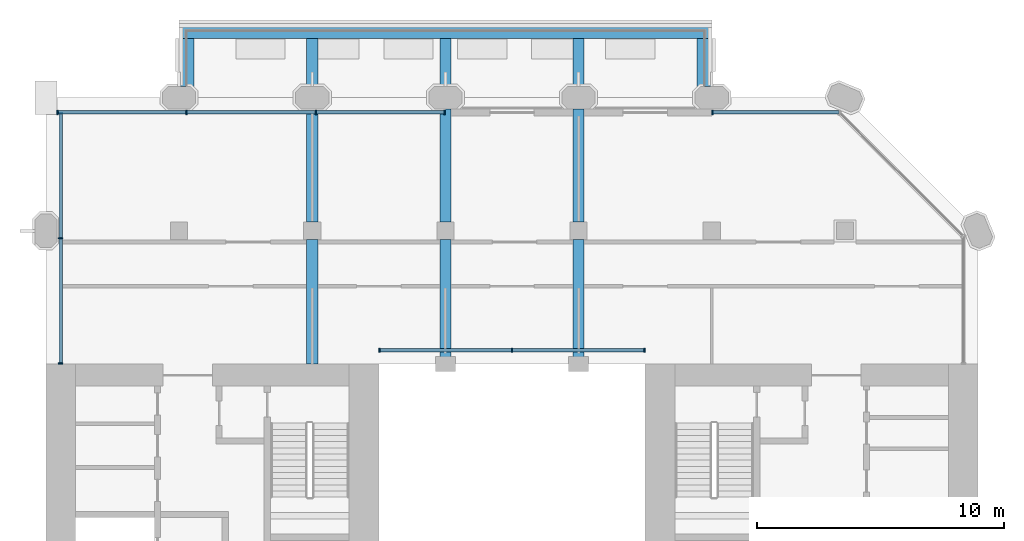
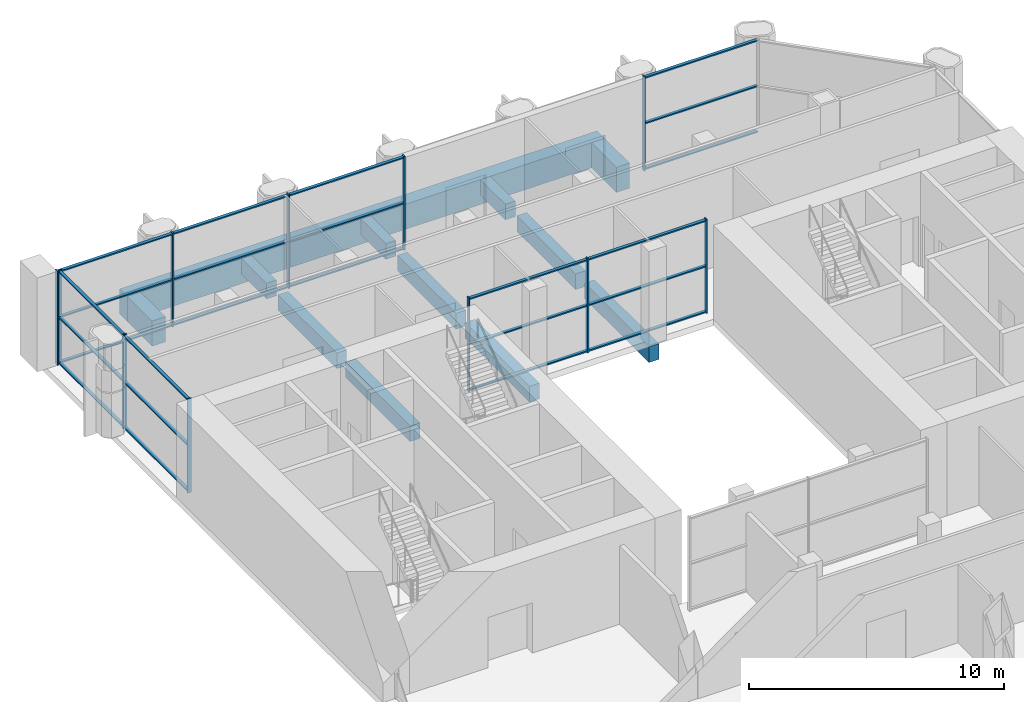
# One storey, part 5 of 13: 35 members, 12 beams, 4 elements without a shape of their own.
"""IFC4 building model written with IfcOpenShell, lengths in metres."""

from ifc_helpers import new_model, si_unit, direction, frame, origin, origin_2d, place, context, subcontext, project, spatial, rectangle, extrude, material, material_profile, profile_set, type_object, element, aggregate, save


model = new_model("IFC4")

# Units and contexts
model_context = context("Model", 3, precision=1e-05, world=origin(), true_north=direction((0.0, 1.0)))
body_context = subcontext(model_context, "Body", "Model", "MODEL_VIEW")
ifc_project = project(units=[si_unit("LENGTHUNIT", "METRE"), si_unit("AREAUNIT", "SQUARE_METRE"), si_unit("VOLUMEUNIT", "CUBIC_METRE"), si_unit("PLANEANGLEUNIT", "RADIAN"), si_unit("MASSUNIT", "GRAM", prefix="KILO")], contexts=[model_context])

# Site, building, storey
site_placement = place(None, origin())
site = spatial("IfcSite", under=ifc_project, at=site_placement, CompositionType="ELEMENT")
building_placement = place(site_placement, origin())
building = spatial("IfcBuilding", under=site, at=building_placement, Name="Tabaq Tower and Sports Hall", CompositionType="ELEMENT")
storey_placement = place(building_placement, frame((0.0, 0.0, 255.699951171875)))
storey = spatial("IfcBuildingStorey", under=building, at=storey_placement, Name="L62", CompositionType="ELEMENT", Elevation=255.699951171875)

# Curtain wall, members
ifc_material_1 = material(Name="Aluminium alloy 6063-T6 framed glazing", Category="aluminium")
curtain_wall_type_1 = type_object("IfcCurtainWallType", Name="CW1 curtain wall", PredefinedType="USERDEFINED", material=ifc_material_1)
curtain_wall_1_placement = place(storey_placement, origin())
curtain_wall_1 = element("IfcCurtainWall", 1, at=curtain_wall_1_placement, inside=storey, type_object=curtain_wall_type_1, Name="Atrium glazing L62 N", ObjectType="ATRIUM ENCLOSURE", PredefinedType="USERDEFINED")
ifc_material_2 = material(Name="Aluminium alloy 6063-T6", Category="aluminium")
ifc_material_profile_1 = material_profile(ifc_material_2, rectangle(XDim=0.159912109375, YDim=0.06005859375, at=origin_2d()), Name="MULLION 160x60")
ifc_profile_set_1 = profile_set([ifc_material_profile_1], Name="Aluminium alloy 6063-T6")
member_type_1 = type_object("IfcMemberType", Name="CW1 mullion 160x60", PredefinedType="MULLION", material=ifc_profile_set_1)
member_1_placement = place(storey_placement, frame((18.929931640625, 32.949951171875, 0.0), z_axis=(0.0, 0.0, 1.0), x_axis=(0.0, 1.0, 0.0)))
member_1 = element("IfcMember", 2, at=member_1_placement, type_object=member_type_1, Name="CW1 mullion 1", PredefinedType="MULLION", context=body_context, shape_type="SweptSolid", body=[
    extrude(rectangle(XDim=0.159912109375, YDim=0.06005859375, at=origin_2d()), origin(), (0.0, 0.0, 1.0), 4.5),
])
member_2_placement = place(storey_placement, frame((24.300048828125, 32.949951171875, 0.0), z_axis=(0.0, 0.0, 1.0), x_axis=(0.0, 1.0, 0.0)))
member_2 = element("IfcMember", 3, at=member_2_placement, type_object=member_type_1, Name="CW1 mullion 2", PredefinedType="MULLION", context=body_context, shape_type="SweptSolid", body=[
    extrude(rectangle(XDim=0.159912109375, YDim=0.06005859375, at=origin_2d()), origin(), (0.0, 0.0, 1.0), 4.5),
])
member_3_placement = place(storey_placement, frame((29.669921875, 32.949951171875, 0.0), z_axis=(0.0, 0.0, 1.0), x_axis=(0.0, 1.0, 0.0)))
member_3 = element("IfcMember", 4, at=member_3_placement, type_object=member_type_1, Name="CW1 mullion 3", PredefinedType="MULLION", context=body_context, shape_type="SweptSolid", body=[
    extrude(rectangle(XDim=0.159912109375, YDim=0.06005859375, at=origin_2d()), origin(), (0.0, 0.0, 1.0), 4.5),
])
ifc_material_3 = material(Name="Aluminium alloy 6063-T6", Category="aluminium")
ifc_material_profile_2 = material_profile(ifc_material_3, rectangle(XDim=0.139892578125, YDim=0.06005859375, at=origin_2d()), Name="TRANSOM 140x60")
ifc_profile_set_2 = profile_set([ifc_material_profile_2], Name="Aluminium alloy 6063-T6")
member_type_2 = type_object("IfcMemberType", Name="CW1 transom 140x60", PredefinedType="USERDEFINED", material=ifc_profile_set_2)
member_4_placement = place(storey_placement, frame((18.9599609375, 32.949951171875, 0.070068359375), z_axis=(1.0, 0.0, 0.0), x_axis=(0.0, 1.0, 0.0)))
member_4 = element("IfcMember", 5, at=member_4_placement, type_object=member_type_2, Name="CW1 transom 1.1", ObjectType="TRANSOM", PredefinedType="USERDEFINED", context=body_context, shape_type="SweptSolid", body=[
    extrude(rectangle(XDim=0.139892578125, YDim=0.06005859375, at=origin_2d()), origin(), (0.0, 0.0, 1.0), 5.31005859375),
])
member_5_placement = place(storey_placement, frame((18.9599609375, 32.949951171875, 2.25), z_axis=(1.0, 0.0, 0.0), x_axis=(0.0, 1.0, 0.0)))
member_5 = element("IfcMember", 6, at=member_5_placement, type_object=member_type_2, Name="CW1 transom 1.2", ObjectType="TRANSOM", PredefinedType="USERDEFINED", context=body_context, shape_type="SweptSolid", body=[
    extrude(rectangle(XDim=0.139892578125, YDim=0.06005859375, at=origin_2d()), origin(), (0.0, 0.0, 1.0), 5.31005859375),
])
member_6_placement = place(storey_placement, frame((18.9599609375, 32.949951171875, 4.429931640625), z_axis=(1.0, 0.0, 0.0), x_axis=(0.0, 1.0, 0.0)))
member_6 = element("IfcMember", 7, at=member_6_placement, type_object=member_type_2, Name="CW1 transom 1.3", ObjectType="TRANSOM", PredefinedType="USERDEFINED", context=body_context, shape_type="SweptSolid", body=[
    extrude(rectangle(XDim=0.139892578125, YDim=0.06005859375, at=origin_2d()), origin(), (0.0, 0.0, 1.0), 5.31005859375),
])
member_7_placement = place(storey_placement, frame((24.330078125, 32.949951171875, 0.070068359375), z_axis=(1.0, 0.0, 0.0), x_axis=(0.0, 1.0, 0.0)))
member_7 = element("IfcMember", 8, at=member_7_placement, type_object=member_type_2, Name="CW1 transom 2.1", ObjectType="TRANSOM", PredefinedType="USERDEFINED", context=body_context, shape_type="SweptSolid", body=[
    extrude(rectangle(XDim=0.139892578125, YDim=0.06005859375, at=origin_2d()), origin(), (0.0, 0.0, 1.0), 5.309814453125),
])
member_8_placement = place(storey_placement, frame((24.330078125, 32.949951171875, 2.25), z_axis=(1.0, 0.0, 0.0), x_axis=(0.0, 1.0, 0.0)))
member_8 = element("IfcMember", 9, at=member_8_placement, type_object=member_type_2, Name="CW1 transom 2.2", ObjectType="TRANSOM", PredefinedType="USERDEFINED", context=body_context, shape_type="SweptSolid", body=[
    extrude(rectangle(XDim=0.139892578125, YDim=0.06005859375, at=origin_2d()), origin(), (0.0, 0.0, 1.0), 5.309814453125),
])
member_9_placement = place(storey_placement, frame((24.330078125, 32.949951171875, 4.429931640625), z_axis=(1.0, 0.0, 0.0), x_axis=(0.0, 1.0, 0.0)))
member_9 = element("IfcMember", 10, at=member_9_placement, type_object=member_type_2, Name="CW1 transom 2.3", ObjectType="TRANSOM", PredefinedType="USERDEFINED", context=body_context, shape_type="SweptSolid", body=[
    extrude(rectangle(XDim=0.139892578125, YDim=0.06005859375, at=origin_2d()), origin(), (0.0, 0.0, 1.0), 5.309814453125),
])
aggregate(curtain_wall_1, [member_1, member_2, member_3, member_4, member_5, member_6, member_7, member_8, member_9])

# Curtain wall, member
ifc_material_4 = material(Name="Aluminium alloy 6063-T6 framed glazing", Category="aluminium")
curtain_wall_type_2 = type_object("IfcCurtainWallType", Name="CW3 curtain wall", PredefinedType="USERDEFINED", material=ifc_material_4)
curtain_wall_2_placement = place(storey_placement, origin())
curtain_wall_2 = element("IfcCurtainWall", 11, at=curtain_wall_2_placement, inside=storey, type_object=curtain_wall_type_2, Name="Garden Floor Wall L62 N", ObjectType="GARDEN FLOOR WALL", PredefinedType="USERDEFINED")
ifc_material_5 = material(Name="Aluminium alloy 6063-T6", Category="aluminium")
ifc_material_profile_3 = material_profile(ifc_material_5, rectangle(XDim=0.179931640625, YDim=0.06005859375, at=origin_2d()), Name="MULLION 180x60")
ifc_profile_set_3 = profile_set([ifc_material_profile_3], Name="Aluminium alloy 6063-T6")
member_type_3 = type_object("IfcMemberType", Name="CW3 mullion 180x60", PredefinedType="MULLION", material=ifc_profile_set_3)
member_10_placement = place(storey_placement, frame((32.429931640625, 42.60009765625, 0.0), z_axis=(0.0, 0.0, 1.0), x_axis=(0.0, -1.0, 0.0)))
member_10 = element("IfcMember", 12, at=member_10_placement, type_object=member_type_3, Name="CW3 mullion 2", PredefinedType="MULLION", context=body_context, shape_type="SweptSolid", body=[
    extrude(rectangle(XDim=0.179931640625, YDim=0.06005859375, at=origin_2d()), origin(), (0.0, 0.0, 1.0), 4.5),
])

# Curtain wall, members
curtain_wall_3_placement = place(storey_placement, origin())
curtain_wall_3 = element("IfcCurtainWall", 13, at=curtain_wall_3_placement, inside=storey, type_object=curtain_wall_type_2, Name="Garden Floor Wall L62 N", ObjectType="GARDEN FLOOR WALL", PredefinedType="USERDEFINED")
member_11_placement = place(storey_placement, frame((21.570068359375, 42.60009765625, 0.0), z_axis=(0.0, 0.0, 1.0), x_axis=(0.0, -1.0, 0.0)))
member_11 = element("IfcMember", 14, at=member_11_placement, type_object=member_type_3, Name="CW3 mullion 1", PredefinedType="MULLION", context=body_context, shape_type="SweptSolid", body=[
    extrude(rectangle(XDim=0.179931640625, YDim=0.06005859375, at=origin_2d()), origin(), (0.0, 0.0, 1.0), 4.5),
])
member_12_placement = place(storey_placement, frame((16.35009765625, 42.60009765625, 0.0), z_axis=(0.0, 0.0, 1.0), x_axis=(0.0, -1.0, 0.0)))
member_12 = element("IfcMember", 15, at=member_12_placement, type_object=member_type_3, Name="CW3 mullion 2", PredefinedType="MULLION", context=body_context, shape_type="SweptSolid", body=[
    extrude(rectangle(XDim=0.179931640625, YDim=0.06005859375, at=origin_2d()), origin(), (0.0, 0.0, 1.0), 4.5),
])
member_13_placement = place(storey_placement, frame((11.10009765625, 42.60009765625, 0.0), z_axis=(0.0, 0.0, 1.0), x_axis=(0.0, -1.0, 0.0)))
member_13 = element("IfcMember", 16, at=member_13_placement, type_object=member_type_3, Name="CW3 mullion 3", PredefinedType="MULLION", context=body_context, shape_type="SweptSolid", body=[
    extrude(rectangle(XDim=0.179931640625, YDim=0.06005859375, at=origin_2d()), origin(), (0.0, 0.0, 1.0), 4.5),
])
member_14_placement = place(storey_placement, frame((5.8798828125, 42.60009765625, 0.0), z_axis=(0.0, 0.0, 1.0), x_axis=(0.0, -1.0, 0.0)))
member_14 = element("IfcMember", 17, at=member_14_placement, type_object=member_type_3, Name="CW3 mullion 4", PredefinedType="MULLION", context=body_context, shape_type="SweptSolid", body=[
    extrude(rectangle(XDim=0.179931640625, YDim=0.06005859375, at=origin_2d()), origin(), (0.0, 0.0, 1.0), 4.5),
])

curtain_wall_4_placement = place(storey_placement, origin())
curtain_wall_4 = element("IfcCurtainWall", 18, at=curtain_wall_4_placement, inside=storey, type_object=curtain_wall_type_2, Name="Garden Floor Wall L62 W", ObjectType="GARDEN FLOOR WALL", PredefinedType="USERDEFINED")
member_15_placement = place(storey_placement, frame((6.0, 42.570068359375, 0.0), z_axis=(0.0, 0.0, 1.0), x_axis=(1.0, 0.0, 0.0)))
member_15 = element("IfcMember", 19, at=member_15_placement, type_object=member_type_3, Name="CW3 mullion 1", PredefinedType="MULLION", context=body_context, shape_type="SweptSolid", body=[
    extrude(rectangle(XDim=0.179931640625, YDim=0.06005859375, at=origin_2d()), origin(), (0.0, 0.0, 1.0), 4.5),
])
member_16_placement = place(storey_placement, frame((6.0, 37.5, 0.0), z_axis=(0.0, 0.0, 1.0), x_axis=(1.0, 0.0, 0.0)))
member_16 = element("IfcMember", 20, at=member_16_placement, type_object=member_type_3, Name="CW3 mullion 2", PredefinedType="MULLION", context=body_context, shape_type="SweptSolid", body=[
    extrude(rectangle(XDim=0.179931640625, YDim=0.06005859375, at=origin_2d()), origin(), (0.0, 0.0, 1.0), 4.5),
])
member_17_placement = place(storey_placement, frame((6.0, 32.429931640625, 0.0), z_axis=(0.0, 0.0, 1.0), x_axis=(1.0, 0.0, 0.0)))
member_17 = element("IfcMember", 21, at=member_17_placement, type_object=member_type_3, Name="CW3 mullion 3", PredefinedType="MULLION", context=body_context, shape_type="SweptSolid", body=[
    extrude(rectangle(XDim=0.179931640625, YDim=0.06005859375, at=origin_2d()), origin(), (0.0, 0.0, 1.0), 4.5),
])

# Member
ifc_material_6 = material(Name="Aluminium alloy 6063-T6", Category="aluminium")
ifc_material_profile_4 = material_profile(ifc_material_6, rectangle(XDim=0.139892578125, YDim=0.06005859375, at=origin_2d()), Name="TRANSOM 140x60")
ifc_profile_set_4 = profile_set([ifc_material_profile_4], Name="Aluminium alloy 6063-T6")
member_type_4 = type_object("IfcMemberType", Name="CW3 transom 140x60", PredefinedType="USERDEFINED", material=ifc_profile_set_4)
member_18_placement = place(storey_placement, frame((37.5537109375, 42.60009765625, 0.070068359375), z_axis=(-1.0, 0.0, 0.0), x_axis=(0.0, -1.0, 0.0)))
member_18 = element("IfcMember", 22, at=member_18_placement, type_object=member_type_4, Name="CW3 transom 1.1", ObjectType="TRANSOM", PredefinedType="USERDEFINED", context=body_context, shape_type="SweptSolid", body=[
    extrude(rectangle(XDim=0.139892578125, YDim=0.06005859375, at=origin_2d()), origin(), (0.0, 0.0, 1.0), 5.09375),
])

member_19_placement = place(storey_placement, frame((37.5537109375, 42.60009765625, 2.25), z_axis=(-1.0, 0.0, 0.0), x_axis=(0.0, -1.0, 0.0)))
member_19 = element("IfcMember", 23, at=member_19_placement, type_object=member_type_4, Name="CW3 transom 1.2", ObjectType="TRANSOM", PredefinedType="USERDEFINED", context=body_context, shape_type="SweptSolid", body=[
    extrude(rectangle(XDim=0.139892578125, YDim=0.06005859375, at=origin_2d()), origin(), (0.0, 0.0, 1.0), 5.09375),
])

member_20_placement = place(storey_placement, frame((37.5537109375, 42.60009765625, 4.429931640625), z_axis=(-1.0, 0.0, 0.0), x_axis=(0.0, -1.0, 0.0)))
member_20 = element("IfcMember", 24, at=member_20_placement, type_object=member_type_4, Name="CW3 transom 1.3", ObjectType="TRANSOM", PredefinedType="USERDEFINED", context=body_context, shape_type="SweptSolid", body=[
    extrude(rectangle(XDim=0.139892578125, YDim=0.06005859375, at=origin_2d()), origin(), (0.0, 0.0, 1.0), 5.09375),
])

aggregate(curtain_wall_2, [member_10, member_18, member_19, member_20])

member_21_placement = place(storey_placement, frame((21.5400390625, 42.60009765625, 0.070068359375), z_axis=(-1.0, 0.0, 0.0), x_axis=(0.0, -1.0, 0.0)))
member_21 = element("IfcMember", 25, at=member_21_placement, type_object=member_type_4, Name="CW3 transom 1.1", ObjectType="TRANSOM", PredefinedType="USERDEFINED", context=body_context, shape_type="SweptSolid", body=[
    extrude(rectangle(XDim=0.139892578125, YDim=0.06005859375, at=origin_2d()), origin(), (0.0, 0.0, 1.0), 5.16015625),
])

member_22_placement = place(storey_placement, frame((21.5400390625, 42.60009765625, 2.25), z_axis=(-1.0, 0.0, 0.0), x_axis=(0.0, -1.0, 0.0)))
member_22 = element("IfcMember", 26, at=member_22_placement, type_object=member_type_4, Name="CW3 transom 1.2", ObjectType="TRANSOM", PredefinedType="USERDEFINED", context=body_context, shape_type="SweptSolid", body=[
    extrude(rectangle(XDim=0.139892578125, YDim=0.06005859375, at=origin_2d()), origin(), (0.0, 0.0, 1.0), 5.16015625),
])

member_23_placement = place(storey_placement, frame((21.5400390625, 42.60009765625, 4.429931640625), z_axis=(-1.0, 0.0, 0.0), x_axis=(0.0, -1.0, 0.0)))
member_23 = element("IfcMember", 27, at=member_23_placement, type_object=member_type_4, Name="CW3 transom 1.3", ObjectType="TRANSOM", PredefinedType="USERDEFINED", context=body_context, shape_type="SweptSolid", body=[
    extrude(rectangle(XDim=0.139892578125, YDim=0.06005859375, at=origin_2d()), origin(), (0.0, 0.0, 1.0), 5.16015625),
])

member_24_placement = place(storey_placement, frame((16.320068359375, 42.60009765625, 0.070068359375), z_axis=(-1.0, 0.0, 0.0), x_axis=(0.0, -1.0, 0.0)))
member_24 = element("IfcMember", 28, at=member_24_placement, type_object=member_type_4, Name="CW3 transom 2.1", ObjectType="TRANSOM", PredefinedType="USERDEFINED", context=body_context, shape_type="SweptSolid", body=[
    extrude(rectangle(XDim=0.139892578125, YDim=0.06005859375, at=origin_2d()), origin(), (0.0, 0.0, 1.0), 5.190185546875),
])

member_25_placement = place(storey_placement, frame((16.320068359375, 42.60009765625, 2.25), z_axis=(-1.0, 0.0, 0.0), x_axis=(0.0, -1.0, 0.0)))
member_25 = element("IfcMember", 29, at=member_25_placement, type_object=member_type_4, Name="CW3 transom 2.2", ObjectType="TRANSOM", PredefinedType="USERDEFINED", context=body_context, shape_type="SweptSolid", body=[
    extrude(rectangle(XDim=0.139892578125, YDim=0.06005859375, at=origin_2d()), origin(), (0.0, 0.0, 1.0), 5.190185546875),
])

member_26_placement = place(storey_placement, frame((16.320068359375, 42.60009765625, 4.429931640625), z_axis=(-1.0, 0.0, 0.0), x_axis=(0.0, -1.0, 0.0)))
member_26 = element("IfcMember", 30, at=member_26_placement, type_object=member_type_4, Name="CW3 transom 2.3", ObjectType="TRANSOM", PredefinedType="USERDEFINED", context=body_context, shape_type="SweptSolid", body=[
    extrude(rectangle(XDim=0.139892578125, YDim=0.06005859375, at=origin_2d()), origin(), (0.0, 0.0, 1.0), 5.190185546875),
])

member_27_placement = place(storey_placement, frame((11.070068359375, 42.60009765625, 0.070068359375), z_axis=(-1.0, 0.0, 0.0), x_axis=(0.0, -1.0, 0.0)))
member_27 = element("IfcMember", 31, at=member_27_placement, type_object=member_type_4, Name="CW3 transom 3.1", ObjectType="TRANSOM", PredefinedType="USERDEFINED", context=body_context, shape_type="SweptSolid", body=[
    extrude(rectangle(XDim=0.139892578125, YDim=0.06005859375, at=origin_2d()), origin(), (0.0, 0.0, 1.0), 5.16015625),
])

member_28_placement = place(storey_placement, frame((11.070068359375, 42.60009765625, 2.25), z_axis=(-1.0, 0.0, 0.0), x_axis=(0.0, -1.0, 0.0)))
member_28 = element("IfcMember", 32, at=member_28_placement, type_object=member_type_4, Name="CW3 transom 3.2", ObjectType="TRANSOM", PredefinedType="USERDEFINED", context=body_context, shape_type="SweptSolid", body=[
    extrude(rectangle(XDim=0.139892578125, YDim=0.06005859375, at=origin_2d()), origin(), (0.0, 0.0, 1.0), 5.16015625),
])

member_29_placement = place(storey_placement, frame((11.070068359375, 42.60009765625, 4.429931640625), z_axis=(-1.0, 0.0, 0.0), x_axis=(0.0, -1.0, 0.0)))
member_29 = element("IfcMember", 33, at=member_29_placement, type_object=member_type_4, Name="CW3 transom 3.3", ObjectType="TRANSOM", PredefinedType="USERDEFINED", context=body_context, shape_type="SweptSolid", body=[
    extrude(rectangle(XDim=0.139892578125, YDim=0.06005859375, at=origin_2d()), origin(), (0.0, 0.0, 1.0), 5.16015625),
])

aggregate(curtain_wall_3, [member_11, member_12, member_13, member_14, member_21, member_22, member_23, member_24, member_25, member_26, member_27, member_28, member_29])

member_30_placement = place(storey_placement, frame((6.0, 42.5400390625, 0.070068359375), z_axis=(0.0, -1.0, 0.0), x_axis=(1.0, 0.0, 0.0)))
member_30 = element("IfcMember", 34, at=member_30_placement, type_object=member_type_4, Name="CW3 transom 1.1", ObjectType="TRANSOM", PredefinedType="USERDEFINED", context=body_context, shape_type="SweptSolid", body=[
    extrude(rectangle(XDim=0.139892578125, YDim=0.06005859375, at=origin_2d()), origin(), (0.0, 0.0, 1.0), 5.010009765625),
])

member_31_placement = place(storey_placement, frame((6.0, 42.5400390625, 2.25), z_axis=(0.0, -1.0, 0.0), x_axis=(1.0, 0.0, 0.0)))
member_31 = element("IfcMember", 35, at=member_31_placement, type_object=member_type_4, Name="CW3 transom 1.2", ObjectType="TRANSOM", PredefinedType="USERDEFINED", context=body_context, shape_type="SweptSolid", body=[
    extrude(rectangle(XDim=0.139892578125, YDim=0.06005859375, at=origin_2d()), origin(), (0.0, 0.0, 1.0), 5.010009765625),
])

member_32_placement = place(storey_placement, frame((6.0, 42.5400390625, 4.429931640625), z_axis=(0.0, -1.0, 0.0), x_axis=(1.0, 0.0, 0.0)))
member_32 = element("IfcMember", 36, at=member_32_placement, type_object=member_type_4, Name="CW3 transom 1.3", ObjectType="TRANSOM", PredefinedType="USERDEFINED", context=body_context, shape_type="SweptSolid", body=[
    extrude(rectangle(XDim=0.139892578125, YDim=0.06005859375, at=origin_2d()), origin(), (0.0, 0.0, 1.0), 5.010009765625),
])

member_33_placement = place(storey_placement, frame((6.0, 37.469970703125, 0.070068359375), z_axis=(0.0, -1.0, 0.0), x_axis=(1.0, 0.0, 0.0)))
member_33 = element("IfcMember", 37, at=member_33_placement, type_object=member_type_4, Name="CW3 transom 2.1", ObjectType="TRANSOM", PredefinedType="USERDEFINED", context=body_context, shape_type="SweptSolid", body=[
    extrude(rectangle(XDim=0.139892578125, YDim=0.06005859375, at=origin_2d()), origin(), (0.0, 0.0, 1.0), 5.010009765625),
])

member_34_placement = place(storey_placement, frame((6.0, 37.469970703125, 2.25), z_axis=(0.0, -1.0, 0.0), x_axis=(1.0, 0.0, 0.0)))
member_34 = element("IfcMember", 38, at=member_34_placement, type_object=member_type_4, Name="CW3 transom 2.2", ObjectType="TRANSOM", PredefinedType="USERDEFINED", context=body_context, shape_type="SweptSolid", body=[
    extrude(rectangle(XDim=0.139892578125, YDim=0.06005859375, at=origin_2d()), origin(), (0.0, 0.0, 1.0), 5.010009765625),
])

member_35_placement = place(storey_placement, frame((6.0, 37.469970703125, 4.429931640625), z_axis=(0.0, -1.0, 0.0), x_axis=(1.0, 0.0, 0.0)))
member_35 = element("IfcMember", 39, at=member_35_placement, type_object=member_type_4, Name="CW3 transom 2.3", ObjectType="TRANSOM", PredefinedType="USERDEFINED", context=body_context, shape_type="SweptSolid", body=[
    extrude(rectangle(XDim=0.139892578125, YDim=0.06005859375, at=origin_2d()), origin(), (0.0, 0.0, 1.0), 5.010009765625),
])

aggregate(curtain_wall_4, [member_15, member_16, member_17, member_30, member_31, member_32, member_33, member_34, member_35])

# Beams
ifc_material_7 = material(Name="Concrete C40/50", Category="concrete")
ifc_material_profile_5 = material_profile(ifc_material_7, rectangle(XDim=0.60009765625, YDim=1.199951171875, at=origin_2d()), Name="EBT 600x1200")
ifc_profile_set_5 = profile_set([ifc_material_profile_5], Name="Concrete C40/50")
beam_type_1 = type_object("IfcBeamType", Name="Concrete C40/50 PT edge band EBT 600x1200", PredefinedType="BEAM", material=ifc_profile_set_5)
beam_1_placement = place(storey_placement, frame((32.39990234375, 45.89990234375, -0.89990234375), z_axis=(-1.0, 0.0, 0.0), x_axis=(0.0, -1.0, 0.0)))
element("IfcBeam", 40, at=beam_1_placement, inside=storey, type_object=beam_type_1, Name="Tray edge band L62", PredefinedType="BEAM", context=body_context, shape_type="SweptSolid", body=[
    extrude(rectangle(XDim=0.60009765625, YDim=1.199951171875, at=origin_2d()), origin(), (0.0, 0.0, 1.0), 21.599853515625),
])
for number, where, z_axis, x_axis, name in (
    (41, (32.10009765625, 43.64990234375, -0.89990234375), (0.0, 1.0, 0.0), (-1.0, 0.0, 0.0), "Tray edge band L62"),
    (42, (11.10009765625, 43.64990234375, -0.89990234375), (0.0, 1.0, 0.0), (-1.0, 0.0, 0.0), "Tray edge band L62"),
):
    element("IfcBeam", number, at=place(storey_placement, frame(where, z_axis=z_axis, x_axis=x_axis)), inside=storey, type_object=beam_type_1, Name=name, PredefinedType="BEAM", context=body_context, shape_type="SweptSolid", body=[
        extrude(rectangle(XDim=0.60009765625, YDim=1.199951171875, at=origin_2d()), origin(), (0.0, 0.0, 1.0), 1.9501953125),
    ])
ifc_material_8 = material(Name="Concrete C40/50", Category="concrete")
ifc_material_profile_6 = material_profile(ifc_material_8, rectangle(XDim=0.449951171875, YDim=0.75, at=origin_2d()), Name="CB 450x750")
ifc_profile_set_6 = profile_set([ifc_material_profile_6], Name="Concrete C40/50")
beam_type_2 = type_object("IfcBeamType", Name="PT CANTILEVER BEAM CB 450x750 C40/50", PredefinedType="BEAM", material=ifc_profile_set_6)
beam_2_placement = place(storey_placement, frame((27.0, 45.60009765625, -0.675048828125), z_axis=(0.0, -1.0, 0.0), x_axis=(1.0, 0.0, 0.0)))
element("IfcBeam", 43, at=beam_2_placement, inside=storey, type_object=beam_type_2, Name="Tray Cantilever Beam L62 T1 span 1", PredefinedType="BEAM", context=body_context, shape_type="SweptSolid", body=[
    extrude(rectangle(XDim=0.449951171875, YDim=0.75, at=origin_2d()), origin(), (0.0, 0.0, 1.0), 1.9501953125),
])
beam_3_placement = place(storey_placement, frame((27.0, 42.75, -0.675048828125), z_axis=(0.0, -1.0, 0.0), x_axis=(1.0, 0.0, 0.0)))
element("IfcBeam", 44, at=beam_3_placement, inside=storey, type_object=beam_type_2, Name="Tray Cantilever Beam L62 T1 span 2", PredefinedType="BEAM", context=body_context, shape_type="SweptSolid", body=[
    extrude(rectangle(XDim=0.449951171875, YDim=0.75, at=origin_2d()), origin(), (0.0, 0.0, 1.0), 4.60009765625),
])
beam_4_placement = place(storey_placement, frame((27.0, 37.449951171875, -0.675048828125), z_axis=(0.0, -1.0, 0.0), x_axis=(1.0, 0.0, 0.0)))
element("IfcBeam", 45, at=beam_4_placement, inside=storey, type_object=beam_type_2, Name="Tray Cantilever Beam L62 T1 span 3", PredefinedType="BEAM", context=body_context, shape_type="SweptSolid", body=[
    extrude(rectangle(XDim=0.449951171875, YDim=0.75, at=origin_2d()), origin(), (0.0, 0.0, 1.0), 5.050048828125),
])
beam_5_placement = place(storey_placement, frame((21.60009765625, 45.60009765625, -0.675048828125), z_axis=(0.0, -1.0, 0.0), x_axis=(1.0, 0.0, 0.0)))
element("IfcBeam", 46, at=beam_5_placement, inside=storey, type_object=beam_type_2, Name="Tray Cantilever Beam L62 T2 span 1", PredefinedType="BEAM", context=body_context, shape_type="SweptSolid", body=[
    extrude(rectangle(XDim=0.449951171875, YDim=0.75, at=origin_2d()), origin(), (0.0, 0.0, 1.0), 1.9501953125),
])
beam_6_placement = place(storey_placement, frame((21.60009765625, 42.75, -0.675048828125), z_axis=(0.0, -1.0, 0.0), x_axis=(1.0, 0.0, 0.0)))
element("IfcBeam", 47, at=beam_6_placement, inside=storey, type_object=beam_type_2, Name="Tray Cantilever Beam L62 T2 span 2", PredefinedType="BEAM", context=body_context, shape_type="SweptSolid", body=[
    extrude(rectangle(XDim=0.449951171875, YDim=0.75, at=origin_2d()), origin(), (0.0, 0.0, 1.0), 4.60009765625),
])
beam_7_placement = place(storey_placement, frame((21.60009765625, 37.449951171875, -0.675048828125), z_axis=(0.0, -1.0, 0.0), x_axis=(1.0, 0.0, 0.0)))
element("IfcBeam", 48, at=beam_7_placement, inside=storey, type_object=beam_type_2, Name="Tray Cantilever Beam L62 T2 span 3", PredefinedType="BEAM", context=body_context, shape_type="SweptSolid", body=[
    extrude(rectangle(XDim=0.449951171875, YDim=0.75, at=origin_2d()), origin(), (0.0, 0.0, 1.0), 5.050048828125),
])
beam_8_placement = place(storey_placement, frame((16.199951171875, 45.60009765625, -0.675048828125), z_axis=(0.0, -1.0, 0.0), x_axis=(1.0, 0.0, 0.0)))
element("IfcBeam", 49, at=beam_8_placement, inside=storey, type_object=beam_type_2, Name="Tray Cantilever Beam L62 T3 span 1", PredefinedType="BEAM", context=body_context, shape_type="SweptSolid", body=[
    extrude(rectangle(XDim=0.449951171875, YDim=0.75, at=origin_2d()), origin(), (0.0, 0.0, 1.0), 1.9501953125),
])
beam_9_placement = place(storey_placement, frame((16.199951171875, 42.75, -0.675048828125), z_axis=(0.0, -1.0, 0.0), x_axis=(1.0, 0.0, 0.0)))
element("IfcBeam", 50, at=beam_9_placement, inside=storey, type_object=beam_type_2, Name="Tray Cantilever Beam L62 T3 span 2", PredefinedType="BEAM", context=body_context, shape_type="SweptSolid", body=[
    extrude(rectangle(XDim=0.449951171875, YDim=0.75, at=origin_2d()), origin(), (0.0, 0.0, 1.0), 4.60009765625),
])
beam_10_placement = place(storey_placement, frame((16.199951171875, 37.449951171875, -0.675048828125), z_axis=(0.0, -1.0, 0.0), x_axis=(1.0, 0.0, 0.0)))
element("IfcBeam", 51, at=beam_10_placement, inside=storey, type_object=beam_type_2, Name="Tray Cantilever Beam L62 T3 span 3", PredefinedType="BEAM", context=body_context, shape_type="SweptSolid", body=[
    extrude(rectangle(XDim=0.449951171875, YDim=0.75, at=origin_2d()), origin(), (0.0, 0.0, 1.0), 5.050048828125),
])

save(model, "model.ifc")
